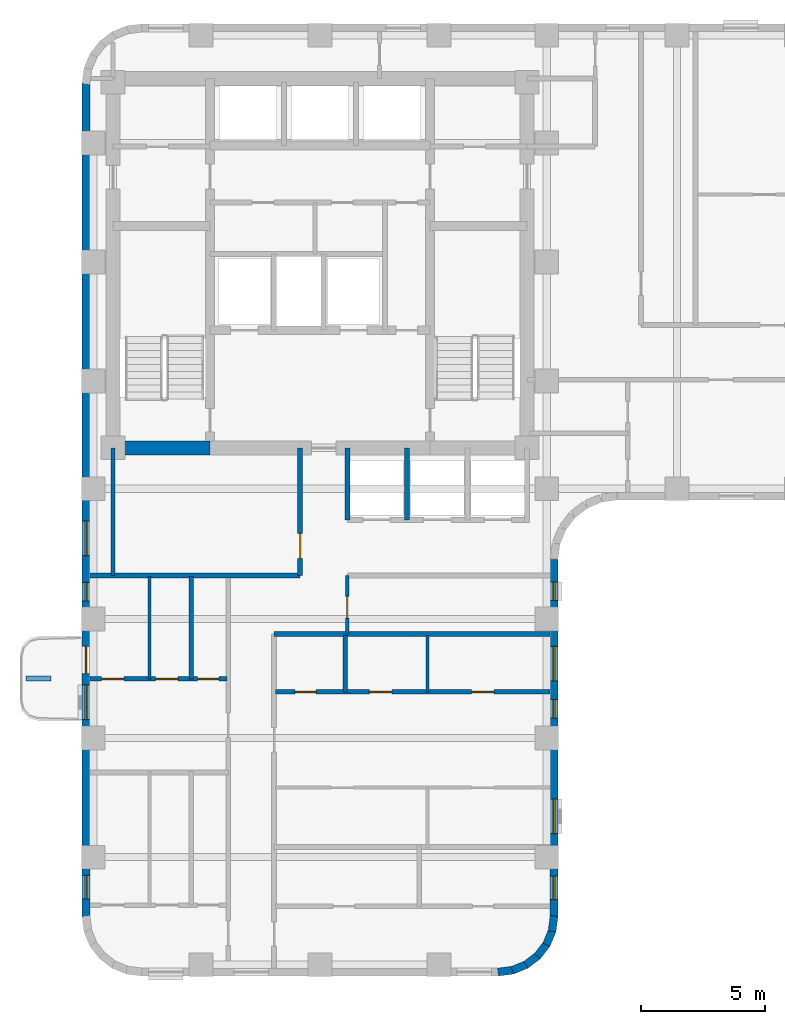
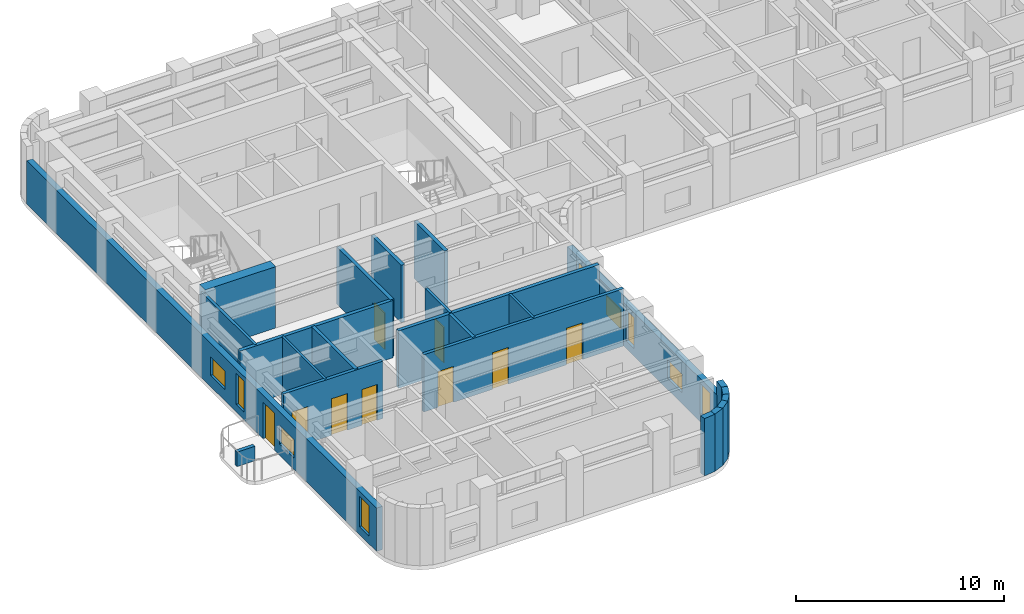
# One storey, part 3 of 9: 23 walls, 9 doors, 9 windows, 18 openings.
"""IFC4 building model written with IfcOpenShell, lengths in metres."""

from ifc_helpers import new_model, si_unit, direction, frame, frame_2d, origin, place, context, subcontext, project, spatial, rectangle, extrude, material, layer, layer_set, type_object, element, fill, save


model = new_model("IFC4")

# Units and contexts
model_context = context("Model", 3, precision=1e-05, world=origin(), true_north=direction((0.0, 1.0)))
body_context = subcontext(model_context, "Body", "Model", "MODEL_VIEW")
ifc_project = project(units=[si_unit("LENGTHUNIT", "METRE"), si_unit("AREAUNIT", "SQUARE_METRE"), si_unit("VOLUMEUNIT", "CUBIC_METRE"), si_unit("PLANEANGLEUNIT", "RADIAN"), si_unit("MASSUNIT", "GRAM", prefix="KILO")], contexts=[model_context])

# Site, building, storey
site_placement = place(None, origin())
site = spatial("IfcSite", under=ifc_project, at=site_placement, CompositionType="ELEMENT")
building_placement = place(site_placement, origin())
building = spatial("IfcBuilding", under=site, at=building_placement, Name="Orvandelia Arch Residences", CompositionType="ELEMENT")
storey_placement = place(building_placement, frame((0.0, 0.0, 128.800048828125)))
storey = spatial("IfcBuildingStorey", under=building, at=storey_placement, Name="L33", CompositionType="ELEMENT", Elevation=128.800048828125)

# Walls
ifc_material_1 = material(Name="Concrete C60/75", Category="concrete")
ifc_layer_1 = layer(ifc_material_1, 0.550048828125, Name="Concrete C60/75", Category="concrete")
ifc_layer_set_1 = layer_set([ifc_layer_1], Name="Concrete C60/75")
wall_type_1 = type_object("IfcWallType", Name="WL-CORE-550", PredefinedType="SHEAR", material=ifc_layer_set_1)
wall_1_placement = place(storey_placement, frame((6.050048828125, 30.89990234375, 0.0), z_axis=(0.0, 0.0, 1.0), x_axis=(1.0, 0.0, 0.0)))
element("IfcWall", 1, at=wall_1_placement, inside=storey, type_object=wall_type_1, Name="Core Shear Wall L33-SW", PredefinedType="SHEAR", context=body_context, shape_type="SweptSolid", body=[
    extrude(rectangle(XDim=3.909912109375, YDim=0.550048828125, at=frame_2d((1.955078125, 0.0))), origin(), (0.0, 0.0, 1.0), 3.599853515625),
])
ifc_material_2 = material(Name="Fire-Rated Corridor Partition")
ifc_layer_2 = layer(ifc_material_2, 0.199951171875, Name="Fire-Rated Corridor Partition")
ifc_layer_set_2 = layer_set([ifc_layer_2], Name="Fire-Rated Corridor Partition")
wall_type_2 = type_object("IfcWallType", Name="WL-CORR-200", PredefinedType="PARTITIONING", material=ifc_layer_set_2)
wall_2_placement = place(storey_placement, frame((12.550048828125, 23.39990234375, 0.0), z_axis=(0.0, 0.0, 1.0), x_axis=(1.0, 0.0, 0.0)))
element("IfcWall", 2, at=wall_2_placement, inside=storey, type_object=wall_type_2, Name="Interior Partition Wall WL-L33-WLNK-S", PredefinedType="PARTITIONING", context=body_context, shape_type="SweptSolid", body=[
    extrude(rectangle(XDim=11.1298828125, YDim=0.199951171875, at=frame_2d((5.56494140625, 0.0))), origin(), (0.0, 0.0, 1.0), 3.35986328125),
])
wall_3_placement = place(storey_placement, frame((5.1201171875, 25.75, 0.0), z_axis=(0.0, 0.0, 1.0), x_axis=(1.0, 0.0, 0.0)))
element("IfcWall", 3, at=wall_3_placement, inside=storey, type_object=wall_type_2, Name="Interior Partition Wall WL-L33-WLNK-N", PredefinedType="PARTITIONING", context=body_context, shape_type="SweptSolid", body=[
    extrude(rectangle(XDim=8.47998046875, YDim=0.199951171875, at=frame_2d((4.239990234375, 0.0))), origin(), (0.0, 0.0, 1.0), 3.35986328125),
])

# Wall, openings, windows
ifc_material_3 = material(Name="Precast concrete C40/50", Category="concrete")
ifc_layer_3 = layer(ifc_material_3, 0.320068359375, Name="Precast concrete C40/50", Category="concrete")
ifc_layer_set_3 = layer_set([ifc_layer_3], Name="Precast concrete C40/50")
wall_type_3 = type_object("IfcWallType", Name="WL-EXT-STONE-320", PredefinedType="STANDARD", material=ifc_layer_set_3)
wall_4_placement = place(storey_placement, frame((23.840087890625, 26.39990234375, 0.0), z_axis=(0.0, 0.0, 1.0), x_axis=(0.0, -1.0, 0.0)))
wall_4 = element("IfcWall", 4, at=wall_4_placement, inside=storey, type_object=wall_type_3, Name="Coral-Limestone Precast Facade Wall L33-028", PredefinedType="STANDARD", context=body_context, shape_type="SweptSolid", body=[
    extrude(rectangle(XDim=14.39990234375, YDim=0.320068359375, at=frame_2d((7.199951171875, 0.0))), origin(), (0.0, 0.0, 1.0), 2.5400390625),
])
opening_1_placement = place(wall_4_placement, frame((3.5, 0.0, 0.64990234375)))
opening_1 = element("IfcOpeningElement", 5, at=opening_1_placement, cuts=wall_4, Name="Opening W10", PredefinedType="OPENING", context=body_context, shape_type="SweptSolid", body=[
    extrude(rectangle(XDim=1.39990234375, YDim=1.10009765625, at=frame_2d((0.699951171875, 0.550048828125))), frame((0.0, 0.169921875, 0.0), z_axis=(0.0, -1.0, 0.0), x_axis=(1.0, 0.0, 0.0)), (0.0, 0.0, 1.0), 0.340087890625),
])
opening_2_placement = place(wall_4_placement, frame((9.653564453125, 0.0, 0.64990234375)))
opening_2 = element("IfcOpeningElement", 6, at=opening_2_placement, cuts=wall_4, Name="Opening W10", PredefinedType="OPENING", context=body_context, shape_type="SweptSolid", body=[
    extrude(rectangle(XDim=1.39990234375, YDim=1.10009765625, at=frame_2d((0.699951171875, 0.550048828125))), frame((0.0, 0.169921875, 0.0), z_axis=(0.0, -1.0, 0.0), x_axis=(1.0, 0.0, 0.0)), (0.0, 0.0, 1.0), 0.340087890625),
])
opening_3_placement = place(wall_4_placement, frame((12.767578125, 0.0, 0.449951171875)))
opening_3 = element("IfcOpeningElement", 7, at=opening_3_placement, cuts=wall_4, Name="Opening W4", PredefinedType="OPENING", context=body_context, shape_type="SweptSolid", body=[
    extrude(rectangle(XDim=0.949951171875, YDim=1.800048828125, at=frame_2d((0.47509765625, 0.89990234375))), frame((0.0, 0.169921875, 0.0), z_axis=(0.0, -1.0, 0.0), x_axis=(1.0, 0.0, 0.0)), (0.0, 0.0, 1.0), 0.340087890625),
])
opening_4_placement = place(wall_4_placement, frame((5.6474609375, 0.0, 0.449951171875)))
opening_4 = element("IfcOpeningElement", 8, at=opening_4_placement, cuts=wall_4, Name="Opening W11", PredefinedType="OPENING", context=body_context, shape_type="SweptSolid", body=[
    extrude(rectangle(XDim=0.75, YDim=1.800048828125, at=frame_2d((0.375, 0.89990234375))), frame((0.0, 0.169921875, 0.0), z_axis=(0.0, -1.0, 0.0), x_axis=(1.0, 0.0, 0.0)), (0.0, 0.0, 1.0), 0.340087890625),
])
opening_5_placement = place(wall_4_placement, frame((0.907470703125, 0.0, 0.449951171875)))
opening_5 = element("IfcOpeningElement", 9, at=opening_5_placement, cuts=wall_4, Name="Opening W11", PredefinedType="OPENING", context=body_context, shape_type="SweptSolid", body=[
    extrude(rectangle(XDim=0.75, YDim=1.800048828125, at=frame_2d((0.375, 0.89990234375))), frame((0.0, 0.169921875, 0.0), z_axis=(0.0, -1.0, 0.0), x_axis=(1.0, 0.0, 0.0)), (0.0, 0.0, 1.0), 0.340087890625),
])
ifc_material_4 = material(Name="Tempered Low-E Insulated Glazing", Category="glass")
window_type_1 = type_object("IfcWindowType", Name="WIN-BED-0750x1800", PartitioningType="SINGLE_PANEL", PredefinedType="WINDOW", material=ifc_material_4)
window_1_placement = place(opening_4_placement, origin())
window_1 = element("IfcWindow", 10, at=window_1_placement, inside=storey, type_object=window_type_1, Name="Recessed Punched Window L33-020", OverallHeight=1.800048828125, OverallWidth=0.75, PartitioningType="SINGLE_PANEL", PredefinedType="WINDOW", context=body_context, shape_type="SweptSolid", body=[
    extrude(rectangle(XDim=0.75, YDim=1.800048828125, at=frame_2d((0.375, 0.89990234375))), frame((0.0, 0.030029296875, 0.0), z_axis=(0.0, -1.0, 0.0), x_axis=(1.0, 0.0, 0.0)), (0.0, 0.0, 1.0), 0.06005859375),
])
fill(opening_4, window_1)
window_2_placement = place(opening_5_placement, origin())
window_2 = element("IfcWindow", 11, at=window_2_placement, inside=storey, type_object=window_type_1, Name="Recessed Punched Window L33-021", OverallHeight=1.800048828125, OverallWidth=0.75, PartitioningType="SINGLE_PANEL", PredefinedType="WINDOW", context=body_context, shape_type="SweptSolid", body=[
    extrude(rectangle(XDim=0.75, YDim=1.800048828125, at=frame_2d((0.375, 0.89990234375))), frame((0.0, 0.030029296875, 0.0), z_axis=(0.0, -1.0, 0.0), x_axis=(1.0, 0.0, 0.0)), (0.0, 0.0, 1.0), 0.06005859375),
])
fill(opening_5, window_2)
window_type_2 = type_object("IfcWindowType", Name="WIN-CLR-1400x1100", PartitioningType="SINGLE_PANEL", PredefinedType="WINDOW", material=ifc_material_4)
window_3_placement = place(opening_1_placement, origin())
window_3 = element("IfcWindow", 12, at=window_3_placement, inside=storey, type_object=window_type_2, Name="Recessed Punched Window L33-017", OverallHeight=1.10009765625, OverallWidth=1.39990234375, PartitioningType="SINGLE_PANEL", PredefinedType="WINDOW", context=body_context, shape_type="SweptSolid", body=[
    extrude(rectangle(XDim=1.39990234375, YDim=1.10009765625, at=frame_2d((0.699951171875, 0.550048828125))), frame((0.0, 0.030029296875, 0.0), z_axis=(0.0, -1.0, 0.0), x_axis=(1.0, 0.0, 0.0)), (0.0, 0.0, 1.0), 0.06005859375),
])
fill(opening_1, window_3)
window_4_placement = place(opening_2_placement, origin())
window_4 = element("IfcWindow", 13, at=window_4_placement, inside=storey, type_object=window_type_2, Name="Recessed Punched Window L33-018", OverallHeight=1.10009765625, OverallWidth=1.39990234375, PartitioningType="SINGLE_PANEL", PredefinedType="WINDOW", context=body_context, shape_type="SweptSolid", body=[
    extrude(rectangle(XDim=1.39990234375, YDim=1.10009765625, at=frame_2d((0.699951171875, 0.550048828125))), frame((0.0, 0.030029296875, 0.0), z_axis=(0.0, -1.0, 0.0), x_axis=(1.0, 0.0, 0.0)), (0.0, 0.0, 1.0), 0.06005859375),
])
fill(opening_2, window_4)
window_type_3 = type_object("IfcWindowType", Name="WIN-RES-0950x1800", PartitioningType="SINGLE_PANEL", PredefinedType="WINDOW", material=ifc_material_4)
window_5_placement = place(opening_3_placement, origin())
window_5 = element("IfcWindow", 14, at=window_5_placement, inside=storey, type_object=window_type_3, Name="Recessed Punched Window L33-019", OverallHeight=1.800048828125, OverallWidth=0.949951171875, PartitioningType="SINGLE_PANEL", PredefinedType="WINDOW", context=body_context, shape_type="SweptSolid", body=[
    extrude(rectangle(XDim=0.949951171875, YDim=1.800048828125, at=frame_2d((0.47509765625, 0.89990234375))), frame((0.0, 0.030029296875, 0.0), z_axis=(0.0, -1.0, 0.0), x_axis=(1.0, 0.0, 0.0)), (0.0, 0.0, 1.0), 0.06005859375),
])
fill(opening_3, window_5)

# Walls
wall_5_placement = place(storey_placement, frame((23.84130859375, 12.02099609375, 0.0), z_axis=(0.0, 0.0, 1.0), x_axis=(-0.130504898859, -0.991447664465, 0.0)))
element("IfcWall", 15, at=wall_5_placement, inside=storey, type_object=wall_type_3, Name="Coral-Limestone Precast Facade Wall L33-029", PredefinedType="STANDARD", context=body_context, shape_type="SweptSolid", body=[
    extrude(rectangle(XDim=0.626708984375, YDim=0.320068359375, at=frame_2d((0.3134765625, 0.0))), origin(), (0.0, 0.0, 1.0), 3.35986328125),
])
for number, where, z_axis, x_axis, name in (
    (16, (23.7705078125, 11.43994140625, 0.0), (0.0, 0.0, 1.0), (-0.382650053678, -0.92389335771, 0.0), "Coral-Limestone Precast Facade Wall L33-030"),
    (17, (23.551513671875, 10.8974609375, 0.0), (0.0, 0.0, 1.0), (-0.608693302629, -0.793405610854, 0.0), "Coral-Limestone Precast Facade Wall L33-031"),
    (18, (23.19970703125, 10.4296875, 0.0), (0.0, 0.0, 1.0), (-0.793405610854, -0.608693302629, 0.0), "Coral-Limestone Precast Facade Wall L33-032"),
    (19, (22.73876953125, 10.0693359375, 0.0), (0.0, 0.0, 1.0), (-0.92389335771, -0.382650053678, 0.0), "Coral-Limestone Precast Facade Wall L33-033"),
    (20, (22.2001953125, 9.84033203125, 0.0), (0.0, 0.0, 1.0), (-0.9914410257, -0.130555323746, 0.0), "Coral-Limestone Precast Facade Wall L33-034"),
):
    element("IfcWall", number, at=place(storey_placement, frame(where, z_axis=z_axis, x_axis=x_axis)), inside=storey, type_object=wall_type_3, Name=name, PredefinedType="STANDARD", context=body_context, shape_type="SweptSolid", body=[
        extrude(rectangle(XDim=0.62646484375, YDim=0.320068359375, at=frame_2d((0.313232421875, 0.0))), origin(), (0.0, 0.0, 1.0), 3.35986328125),
    ])

# Wall, openings, door, windows
wall_6_placement = place(storey_placement, frame((4.9599609375, 12.0, 0.0), z_axis=(0.0, 0.0, 1.0), x_axis=(0.0, 1.0, 0.0)))
wall_6 = element("IfcWall", 21, at=wall_6_placement, inside=storey, type_object=wall_type_3, Name="Coral-Limestone Precast Facade Wall L33-042", PredefinedType="STANDARD", context=body_context, shape_type="SweptSolid", body=[
    extrude(rectangle(XDim=33.60009765625, YDim=0.320068359375, at=frame_2d((16.800048828125, 0.0))), origin(), (0.0, 0.0, 1.0), 2.5400390625),
])
opening_6_placement = place(wall_6_placement, frame((9.800048828125, 0.0, 0.0)))
opening_6 = element("IfcOpeningElement", 22, at=opening_6_placement, cuts=wall_6, Name="Opening BD1", PredefinedType="OPENING", context=body_context, shape_type="SweptSolid", body=[
    extrude(rectangle(XDim=1.10009765625, YDim=2.14990234375, at=frame_2d((0.550048828125, 1.074951171875))), frame((0.0, 0.169921875, 0.0), z_axis=(0.0, -1.0, 0.0), x_axis=(1.0, 0.0, 0.0)), (0.0, 0.0, 1.0), 0.340087890625),
])
opening_7_placement = place(wall_6_placement, frame((0.70849609375, 0.0, 0.449951171875)))
opening_7 = element("IfcOpeningElement", 23, at=opening_7_placement, cuts=wall_6, Name="Opening W4", PredefinedType="OPENING", context=body_context, shape_type="SweptSolid", body=[
    extrude(rectangle(XDim=0.949951171875, YDim=1.800048828125, at=frame_2d((0.47509765625, 0.89990234375))), frame((0.0, 0.169921875, 0.0), z_axis=(0.0, -1.0, 0.0), x_axis=(1.0, 0.0, 0.0)), (0.0, 0.0, 1.0), 0.340087890625),
])
opening_8_placement = place(wall_6_placement, frame((12.732421875, 0.0, 0.449951171875)))
opening_8 = element("IfcOpeningElement", 24, at=opening_8_placement, cuts=wall_6, Name="Opening W11", PredefinedType="OPENING", context=body_context, shape_type="SweptSolid", body=[
    extrude(rectangle(XDim=0.75, YDim=1.800048828125, at=frame_2d((0.375, 0.89990234375))), frame((0.0, 0.169921875, 0.0), z_axis=(0.0, -1.0, 0.0), x_axis=(1.0, 0.0, 0.0)), (0.0, 0.0, 1.0), 0.340087890625),
])
opening_9_placement = place(wall_6_placement, frame((7.939453125, 0.0, 0.64990234375)))
opening_9 = element("IfcOpeningElement", 25, at=opening_9_placement, cuts=wall_6, Name="Opening W10", PredefinedType="OPENING", context=body_context, shape_type="SweptSolid", body=[
    extrude(rectangle(XDim=1.39990234375, YDim=1.10009765625, at=frame_2d((0.699951171875, 0.550048828125))), frame((0.0, 0.169921875, 0.0), z_axis=(0.0, -1.0, 0.0), x_axis=(1.0, 0.0, 0.0)), (0.0, 0.0, 1.0), 0.340087890625),
])
opening_10_placement = place(wall_6_placement, frame((14.5576171875, 0.0, 0.64990234375)))
opening_10 = element("IfcOpeningElement", 26, at=opening_10_placement, cuts=wall_6, Name="Opening W10", PredefinedType="OPENING", context=body_context, shape_type="SweptSolid", body=[
    extrude(rectangle(XDim=1.39990234375, YDim=1.10009765625, at=frame_2d((0.699951171875, 0.550048828125))), frame((0.0, 0.169921875, 0.0), z_axis=(0.0, -1.0, 0.0), x_axis=(1.0, 0.0, 0.0)), (0.0, 0.0, 1.0), 0.340087890625),
])
ifc_material_5 = material(Name="Thermally Broken Aluminium Glazed Door", Category="aluminium")
door_type_1 = type_object("IfcDoorType", Name="DR-BAL-GLAZ-1100", OperationType="NOTDEFINED", PredefinedType="DOOR", material=ifc_material_5)
door_1_placement = place(opening_6_placement, origin())
door_1 = element("IfcDoor", 27, at=door_1_placement, inside=storey, type_object=door_type_1, Name="Tree Balcony Glazed Door BAL-L33-W1", OperationType="SINGLE_SWING_RIGHT", OverallHeight=2.14990234375, OverallWidth=1.10009765625, PredefinedType="DOOR", context=body_context, shape_type="SweptSolid", body=[
    extrude(rectangle(XDim=1.10009765625, YDim=2.14990234375, at=frame_2d((0.550048828125, 1.074951171875))), frame((0.0, 0.02490234375, 0.0), z_axis=(0.0, -1.0, 0.0), x_axis=(1.0, 0.0, 0.0)), (0.0, 0.0, 1.0), 0.050048828125),
])
fill(opening_6, door_1)
window_6_placement = place(opening_8_placement, origin())
window_6 = element("IfcWindow", 28, at=window_6_placement, inside=storey, type_object=window_type_1, Name="Recessed Punched Window L33-026", OverallHeight=1.800048828125, OverallWidth=0.75, PartitioningType="SINGLE_PANEL", PredefinedType="WINDOW", context=body_context, shape_type="SweptSolid", body=[
    extrude(rectangle(XDim=0.75, YDim=1.800048828125, at=frame_2d((0.375, 0.89990234375))), frame((0.0, 0.030029296875, 0.0), z_axis=(0.0, -1.0, 0.0), x_axis=(1.0, 0.0, 0.0)), (0.0, 0.0, 1.0), 0.06005859375),
])
fill(opening_8, window_6)
window_7_placement = place(opening_9_placement, origin())
window_7 = element("IfcWindow", 29, at=window_7_placement, inside=storey, type_object=window_type_2, Name="Recessed Punched Window L33-027", OverallHeight=1.10009765625, OverallWidth=1.39990234375, PartitioningType="SINGLE_PANEL", PredefinedType="WINDOW", context=body_context, shape_type="SweptSolid", body=[
    extrude(rectangle(XDim=1.39990234375, YDim=1.10009765625, at=frame_2d((0.699951171875, 0.550048828125))), frame((0.0, 0.030029296875, 0.0), z_axis=(0.0, -1.0, 0.0), x_axis=(1.0, 0.0, 0.0)), (0.0, 0.0, 1.0), 0.06005859375),
])
fill(opening_9, window_7)
window_8_placement = place(opening_10_placement, origin())
window_8 = element("IfcWindow", 30, at=window_8_placement, inside=storey, type_object=window_type_2, Name="Recessed Punched Window L33-028", OverallHeight=1.10009765625, OverallWidth=1.39990234375, PartitioningType="SINGLE_PANEL", PredefinedType="WINDOW", context=body_context, shape_type="SweptSolid", body=[
    extrude(rectangle(XDim=1.39990234375, YDim=1.10009765625, at=frame_2d((0.699951171875, 0.550048828125))), frame((0.0, 0.030029296875, 0.0), z_axis=(0.0, -1.0, 0.0), x_axis=(1.0, 0.0, 0.0)), (0.0, 0.0, 1.0), 0.06005859375),
])
fill(opening_10, window_8)
window_9_placement = place(opening_7_placement, origin())
window_9 = element("IfcWindow", 31, at=window_9_placement, inside=storey, type_object=window_type_3, Name="Recessed Punched Window L33-025", OverallHeight=1.800048828125, OverallWidth=0.949951171875, PartitioningType="SINGLE_PANEL", PredefinedType="WINDOW", context=body_context, shape_type="SweptSolid", body=[
    extrude(rectangle(XDim=0.949951171875, YDim=1.800048828125, at=frame_2d((0.47509765625, 0.89990234375))), frame((0.0, 0.030029296875, 0.0), z_axis=(0.0, -1.0, 0.0), x_axis=(1.0, 0.0, 0.0)), (0.0, 0.0, 1.0), 0.06005859375),
])
fill(opening_7, window_9)

# Walls
ifc_material_6 = material(Name="Lightweight Gypsum Stud Partition")
ifc_layer_4 = layer(ifc_material_6, 0.1201171875, Name="Lightweight Gypsum Stud Partition")
ifc_layer_set_4 = layer_set([ifc_layer_4], Name="Lightweight Gypsum Stud Partition")
wall_type_4 = type_object("IfcWallType", Name="WL-PART-120", PredefinedType="PARTITIONING", material=ifc_layer_set_4)
wall_7_placement = place(storey_placement, frame((7.514892578125, 21.583984375, 0.0), z_axis=(0.0, 0.0, 1.0), x_axis=(0.0, 1.0, 0.0)))
element("IfcWall", 32, at=wall_7_placement, inside=storey, type_object=wall_type_4, Name="Interior Partition Wall WL-L33-U02-V1", PredefinedType="PARTITIONING", context=body_context, shape_type="SweptSolid", body=[
    extrude(rectangle(XDim=4.135986328125, YDim=0.1201171875, at=frame_2d((2.06787109375, 0.0))), origin(), (0.0, 0.0, 1.0), 3.35986328125),
])
wall_8_placement = place(storey_placement, frame((18.73193359375, 21.06005859375, 0.0), z_axis=(0.0, 0.0, 1.0), x_axis=(0.0, 1.0, 0.0)))
element("IfcWall", 33, at=wall_8_placement, inside=storey, type_object=wall_type_4, Name="Interior Partition Wall WL-L33-U04-V2", PredefinedType="PARTITIONING", context=body_context, shape_type="SweptSolid", body=[
    extrude(rectangle(XDim=2.280029296875, YDim=0.1201171875, at=frame_2d((1.14013671875, 0.0))), origin(), (0.0, 0.0, 1.0), 3.35986328125),
])
ifc_material_7 = material(Name="Acoustic Gypsum Stud Partition")
ifc_layer_5 = layer(ifc_material_7, 0.14990234375, Name="Acoustic Gypsum Stud Partition")
ifc_layer_set_5 = layer_set([ifc_layer_5], Name="Acoustic Gypsum Stud Partition")
wall_type_5 = type_object("IfcWallType", Name="WL-PART-150", PredefinedType="PARTITIONING", material=ifc_layer_set_5)
wall_9_placement = place(storey_placement, frame((6.050048828125, 25.75, 0.0), z_axis=(0.0, 0.0, 1.0), x_axis=(0.0, 1.0, 0.0)))
element("IfcWall", 34, at=wall_9_placement, inside=storey, type_object=wall_type_5, Name="Interior Partition Wall WL-L33-B1REUSE-W", PredefinedType="PARTITIONING", context=body_context, shape_type="SweptSolid", body=[
    extrude(rectangle(XDim=5.14990234375, YDim=0.14990234375, at=frame_2d((2.574951171875, 0.0))), origin(), (0.0, 0.0, 1.0), 3.35986328125),
])

# Wall, opening, door
wall_10_placement = place(storey_placement, frame((15.5, 23.39990234375, 0.0), z_axis=(0.0, 0.0, 1.0), x_axis=(0.0, 1.0, 0.0)))
wall_10 = element("IfcWall", 35, at=wall_10_placement, inside=storey, type_object=wall_type_5, Name="Interior Partition Wall WL-L33-WLNK-E", PredefinedType="PARTITIONING", context=body_context, shape_type="SweptSolid", body=[
    extrude(rectangle(XDim=2.35009765625, YDim=0.14990234375, at=frame_2d((1.175048828125, 0.0))), origin(), (0.0, 0.0, 1.0), 3.35986328125),
])
opening_11_placement = place(wall_10_placement, frame((0.64990234375, 0.0, 0.0)))
opening_11 = element("IfcOpeningElement", 36, at=opening_11_placement, cuts=wall_10, Name="Opening D4", PredefinedType="OPENING", context=body_context, shape_type="SweptSolid", body=[
    extrude(rectangle(XDim=0.860107421875, YDim=2.10009765625, at=frame_2d((0.43017578125, 1.050048828125))), frame((0.0, 0.0849609375, 0.0), z_axis=(0.0, -1.0, 0.0), x_axis=(1.0, 0.0, 0.0)), (0.0, 0.0, 1.0), 0.169921875),
])
ifc_material_8 = material(Name="Moisture-Sealed Timber Bathroom Door", Category="wood")
door_type_2 = type_object("IfcDoorType", Name="DR-WET-900", OperationType="NOTDEFINED", PredefinedType="DOOR", material=ifc_material_8)
door_2_placement = place(opening_11_placement, origin())
door_2 = element("IfcDoor", 37, at=door_2_placement, inside=storey, type_object=door_type_2, Name="DR-L33-WLNKST", OperationType="SINGLE_SWING_RIGHT", OverallHeight=2.10009765625, OverallWidth=0.860107421875, PredefinedType="DOOR", context=body_context, shape_type="SweptSolid", body=[
    extrude(rectangle(XDim=0.860107421875, YDim=2.10009765625, at=frame_2d((0.43017578125, 1.050048828125))), frame((0.0, 0.02490234375, 0.0), z_axis=(0.0, -1.0, 0.0), x_axis=(1.0, 0.0, 0.0)), (0.0, 0.0, 1.0), 0.050048828125),
])
fill(opening_11, door_2)

# Wall
ifc_layer_6 = layer(ifc_material_3, 0.199951171875, Name="Precast concrete C40/50", Category="concrete")
ifc_layer_set_6 = layer_set([ifc_layer_6], Name="Precast concrete C40/50")
wall_type_6 = type_object("IfcWallType", Name="WL-PLANTER-200", PredefinedType="MOVABLE", material=ifc_layer_set_6)
wall_11_placement = place(storey_placement, frame((2.550048828125, 21.60009765625, 0.0), z_axis=(0.0, 0.0, 1.0), x_axis=(1.0, 0.0, 0.0)))
element("IfcWall", 38, at=wall_11_placement, inside=storey, type_object=wall_type_6, Name="Balcony Precast Tree Planter BAL-L33-W1", PredefinedType="MOVABLE", context=body_context, shape_type="SweptSolid", body=[
    extrude(rectangle(XDim=1.0, YDim=0.199951171875, at=frame_2d((0.5, 0.0))), origin(), (0.0, 0.0, 1.0), 0.849853515625),
])

# Wall, opening, door
ifc_material_9 = material(Name="Fire-Rated Shaft Enclosure Wall")
ifc_layer_7 = layer(ifc_material_9, 0.199951171875, Name="Fire-Rated Shaft Enclosure Wall")
ifc_layer_set_7 = layer_set([ifc_layer_7], Name="Fire-Rated Shaft Enclosure Wall")
wall_type_7 = type_object("IfcWallType", Name="WL-SHAFT-200", PredefinedType="POLYGONAL", material=ifc_layer_set_7)
wall_12_placement = place(storey_placement, frame((13.60009765625, 25.75, 0.0), z_axis=(0.0, 0.0, 1.0), x_axis=(0.0, 1.0, 0.0)))
wall_12 = element("IfcWall", 39, at=wall_12_placement, inside=storey, type_object=wall_type_7, Name="Interior Partition Wall WL-L33-B1REUSE-E", PredefinedType="POLYGONAL", context=body_context, shape_type="SweptSolid", body=[
    extrude(rectangle(XDim=5.14990234375, YDim=0.199951171875, at=frame_2d((2.574951171875, 0.0))), origin(), (0.0, 0.0, 1.0), 3.35986328125),
])
opening_12_placement = place(wall_12_placement, frame((0.699951171875, 0.0, 0.0)))
opening_12 = element("IfcOpeningElement", 40, at=opening_12_placement, cuts=wall_12, Name="Opening D6", PredefinedType="OPENING", context=body_context, shape_type="SweptSolid", body=[
    extrude(rectangle(XDim=1.0, YDim=2.14990234375, at=frame_2d((0.5, 1.074951171875))), frame((0.0, 0.10986328125, 0.0), z_axis=(0.0, -1.0, 0.0), x_axis=(1.0, 0.0, 0.0)), (0.0, 0.0, 1.0), 0.219970703125),
])
ifc_material_10 = material(Name="Smokeproof Painted Steel Fire Door", Category="steel")
door_type_3 = type_object("IfcDoorType", Name="DR-FD60-1000", OperationType="NOTDEFINED", PredefinedType="DOOR", material=ifc_material_10)
door_3_placement = place(opening_12_placement, origin())
door_3 = element("IfcDoor", 41, at=door_3_placement, inside=storey, type_object=door_type_3, Name="DR-L33-B1REUSE", OperationType="SINGLE_SWING_LEFT", OverallHeight=2.14990234375, OverallWidth=1.0, PredefinedType="DOOR", context=body_context, shape_type="SweptSolid", body=[
    extrude(rectangle(XDim=1.0, YDim=2.14990234375, at=frame_2d((0.5, 1.074951171875))), frame((0.0, 0.02490234375, 0.0), z_axis=(0.0, -1.0, 0.0), x_axis=(1.0, 0.0, 0.0)), (0.0, 0.0, 1.0), 0.050048828125),
])
fill(opening_12, door_3)

# Walls
for number, where, z_axis, x_axis, name in (
    (42, (15.5, 28.0, 0.0), (0.0, 0.0, 1.0), (0.0, 1.0, 0.0), "Interior Partition Wall WL-L33-BNKM-W"),
    (43, (17.89990234375, 28.0, 0.0), (0.0, 0.0, 1.0), (0.0, 1.0, 0.0), "Interior Partition Wall WL-L33-BNKMD-1789"),
):
    element("IfcWall", number, at=place(storey_placement, frame(where, z_axis=z_axis, x_axis=x_axis)), inside=storey, type_object=wall_type_7, Name=name, PredefinedType="POLYGONAL", context=body_context, shape_type="SweptSolid", body=[
        extrude(rectangle(XDim=2.89990234375, YDim=0.199951171875, at=frame_2d((1.449951171875, 0.0))), origin(), (0.0, 0.0, 1.0), 3.35986328125),
    ])

# Wall, openings, doors
ifc_material_11 = material(Name="Moisture-Resistant Plumbing Wall")
ifc_layer_8 = layer(ifc_material_11, 0.179931640625, Name="Moisture-Resistant Plumbing Wall")
ifc_layer_set_8 = layer_set([ifc_layer_8], Name="Moisture-Resistant Plumbing Wall")
wall_type_8 = type_object("IfcWallType", Name="WL-WET-180", PredefinedType="PLUMBINGWALL", material=ifc_layer_set_8)
wall_13_placement = place(storey_placement, frame((5.1201171875, 21.583984375, 0.0), z_axis=(0.0, 0.0, 1.0), x_axis=(1.0, 0.0, 0.0)))
wall_13 = element("IfcWall", 44, at=wall_13_placement, inside=storey, type_object=wall_type_8, Name="Interior Partition Wall WL-L33-U02-HZ", PredefinedType="PLUMBINGWALL", context=body_context, shape_type="SweptSolid", body=[
    extrude(rectangle(XDim=5.519775390625, YDim=0.179931640625, at=frame_2d((2.759765625, 0.0))), origin(), (0.0, 0.0, 1.0), 3.35986328125),
])
opening_13_placement = place(wall_13_placement, frame((0.47216796875, 0.0, 0.0)))
opening_13 = element("IfcOpeningElement", 45, at=opening_13_placement, cuts=wall_13, Name="Opening D3", PredefinedType="OPENING", context=body_context, shape_type="SweptSolid", body=[
    extrude(rectangle(XDim=0.89990234375, YDim=2.14990234375, at=frame_2d((0.449951171875, 1.074951171875))), frame((0.0, 0.10009765625, 0.0), z_axis=(0.0, -1.0, 0.0), x_axis=(1.0, 0.0, 0.0)), (0.0, 0.0, 1.0), 0.199951171875),
])
opening_14_placement = place(wall_13_placement, frame((2.655029296875, 0.0, 0.0)))
opening_14 = element("IfcOpeningElement", 46, at=opening_14_placement, cuts=wall_13, Name="Opening D3", PredefinedType="OPENING", context=body_context, shape_type="SweptSolid", body=[
    extrude(rectangle(XDim=0.89990234375, YDim=2.14990234375, at=frame_2d((0.449951171875, 1.074951171875))), frame((0.0, 0.10009765625, 0.0), z_axis=(0.0, -1.0, 0.0), x_axis=(1.0, 0.0, 0.0)), (0.0, 0.0, 1.0), 0.199951171875),
])
opening_15_placement = place(wall_13_placement, frame((4.342041015625, 0.0, 0.0)))
opening_15 = element("IfcOpeningElement", 47, at=opening_15_placement, cuts=wall_13, Name="Opening D4", PredefinedType="OPENING", context=body_context, shape_type="SweptSolid", body=[
    extrude(rectangle(XDim=0.860107421875, YDim=2.10009765625, at=frame_2d((0.43017578125, 1.050048828125))), frame((0.0, 0.10009765625, 0.0), z_axis=(0.0, -1.0, 0.0), x_axis=(1.0, 0.0, 0.0)), (0.0, 0.0, 1.0), 0.199951171875),
])
ifc_material_12 = material(Name="Engineered Timber Flush Door", Category="wood")
door_type_4 = type_object("IfcDoorType", Name="DR-INT-900", OperationType="NOTDEFINED", PredefinedType="DOOR", material=ifc_material_12)
door_4_placement = place(opening_13_placement, origin())
door_4 = element("IfcDoor", 48, at=door_4_placement, inside=storey, type_object=door_type_4, Name="DR-L33-U02-BD1", OperationType="SINGLE_SWING_RIGHT", OverallHeight=2.14990234375, OverallWidth=0.89990234375, PredefinedType="DOOR", context=body_context, shape_type="SweptSolid", body=[
    extrude(rectangle(XDim=0.89990234375, YDim=2.14990234375, at=frame_2d((0.449951171875, 1.074951171875))), frame((0.0, 0.02490234375, 0.0), z_axis=(0.0, -1.0, 0.0), x_axis=(1.0, 0.0, 0.0)), (0.0, 0.0, 1.0), 0.050048828125),
])
fill(opening_13, door_4)
door_5_placement = place(opening_14_placement, origin())
door_5 = element("IfcDoor", 49, at=door_5_placement, inside=storey, type_object=door_type_4, Name="DR-L33-U02-KIT", OperationType="SINGLE_SWING_LEFT", OverallHeight=2.14990234375, OverallWidth=0.89990234375, PredefinedType="DOOR", context=body_context, shape_type="SweptSolid", body=[
    extrude(rectangle(XDim=0.89990234375, YDim=2.14990234375, at=frame_2d((0.449951171875, 1.074951171875))), frame((0.0, 0.02490234375, 0.0), z_axis=(0.0, -1.0, 0.0), x_axis=(1.0, 0.0, 0.0)), (0.0, 0.0, 1.0), 0.050048828125),
])
fill(opening_14, door_5)
door_6_placement = place(opening_15_placement, origin())
door_6 = element("IfcDoor", 50, at=door_6_placement, inside=storey, type_object=door_type_2, Name="DR-L33-U02-BTH", OperationType="SINGLE_SWING_RIGHT", OverallHeight=2.10009765625, OverallWidth=0.860107421875, PredefinedType="DOOR", context=body_context, shape_type="SweptSolid", body=[
    extrude(rectangle(XDim=0.860107421875, YDim=2.10009765625, at=frame_2d((0.43017578125, 1.050048828125))), frame((0.0, 0.02490234375, 0.0), z_axis=(0.0, -1.0, 0.0), x_axis=(1.0, 0.0, 0.0)), (0.0, 0.0, 1.0), 0.050048828125),
])
fill(opening_15, door_6)

# Wall
wall_14_placement = place(storey_placement, frame((9.201904296875, 21.583984375, 0.0), z_axis=(0.0, 0.0, 1.0), x_axis=(0.0, 1.0, 0.0)))
element("IfcWall", 51, at=wall_14_placement, inside=storey, type_object=wall_type_8, Name="Interior Partition Wall WL-L33-U02-V2", PredefinedType="PLUMBINGWALL", context=body_context, shape_type="SweptSolid", body=[
    extrude(rectangle(XDim=4.135986328125, YDim=0.179931640625, at=frame_2d((2.06787109375, 0.0))), origin(), (0.0, 0.0, 1.0), 3.35986328125),
])

# Wall, openings, doors
wall_15_placement = place(storey_placement, frame((12.610107421875, 21.06005859375, 0.0), z_axis=(0.0, 0.0, 1.0), x_axis=(1.0, 0.0, 0.0)))
wall_15 = element("IfcWall", 52, at=wall_15_placement, inside=storey, type_object=wall_type_8, Name="Interior Partition Wall WL-L33-U04-HZ", PredefinedType="PLUMBINGWALL", context=body_context, shape_type="SweptSolid", body=[
    extrude(rectangle(XDim=11.06982421875, YDim=0.179931640625, at=frame_2d((5.534912109375, 0.0))), origin(), (0.0, 0.0, 1.0), 3.35986328125),
])
opening_16_placement = place(wall_15_placement, frame((0.772216796875, 0.0, 0.0)))
opening_16 = element("IfcOpeningElement", 53, at=opening_16_placement, cuts=wall_15, Name="Opening D4", PredefinedType="OPENING", context=body_context, shape_type="SweptSolid", body=[
    extrude(rectangle(XDim=0.860107421875, YDim=2.10009765625, at=frame_2d((0.43017578125, 1.050048828125))), frame((0.0, 0.10009765625, 0.0), z_axis=(0.0, -1.0, 0.0), x_axis=(1.0, 0.0, 0.0)), (0.0, 0.0, 1.0), 0.199951171875),
])
opening_17_placement = place(wall_15_placement, frame((3.7861328125, 0.0, 0.0)))
opening_17 = element("IfcOpeningElement", 54, at=opening_17_placement, cuts=wall_15, Name="Opening D3", PredefinedType="OPENING", context=body_context, shape_type="SweptSolid", body=[
    extrude(rectangle(XDim=0.89990234375, YDim=2.14990234375, at=frame_2d((0.449951171875, 1.074951171875))), frame((0.0, 0.10009765625, 0.0), z_axis=(0.0, -1.0, 0.0), x_axis=(1.0, 0.0, 0.0)), (0.0, 0.0, 1.0), 0.199951171875),
])
opening_18_placement = place(wall_15_placement, frame((7.903076171875, 0.0, 0.0)))
opening_18 = element("IfcOpeningElement", 55, at=opening_18_placement, cuts=wall_15, Name="Opening D3", PredefinedType="OPENING", context=body_context, shape_type="SweptSolid", body=[
    extrude(rectangle(XDim=0.89990234375, YDim=2.14990234375, at=frame_2d((0.449951171875, 1.074951171875))), frame((0.0, 0.10009765625, 0.0), z_axis=(0.0, -1.0, 0.0), x_axis=(1.0, 0.0, 0.0)), (0.0, 0.0, 1.0), 0.199951171875),
])
door_7_placement = place(opening_17_placement, origin())
door_7 = element("IfcDoor", 56, at=door_7_placement, inside=storey, type_object=door_type_4, Name="DR-L33-U04-KIT", OperationType="SINGLE_SWING_RIGHT", OverallHeight=2.14990234375, OverallWidth=0.89990234375, PredefinedType="DOOR", context=body_context, shape_type="SweptSolid", body=[
    extrude(rectangle(XDim=0.89990234375, YDim=2.14990234375, at=frame_2d((0.449951171875, 1.074951171875))), frame((0.0, 0.02490234375, 0.0), z_axis=(0.0, -1.0, 0.0), x_axis=(1.0, 0.0, 0.0)), (0.0, 0.0, 1.0), 0.050048828125),
])
fill(opening_17, door_7)
door_8_placement = place(opening_18_placement, origin())
door_8 = element("IfcDoor", 57, at=door_8_placement, inside=storey, type_object=door_type_4, Name="DR-L33-U04-BD1", OperationType="SINGLE_SWING_LEFT", OverallHeight=2.14990234375, OverallWidth=0.89990234375, PredefinedType="DOOR", context=body_context, shape_type="SweptSolid", body=[
    extrude(rectangle(XDim=0.89990234375, YDim=2.14990234375, at=frame_2d((0.449951171875, 1.074951171875))), frame((0.0, 0.02490234375, 0.0), z_axis=(0.0, -1.0, 0.0), x_axis=(1.0, 0.0, 0.0)), (0.0, 0.0, 1.0), 0.050048828125),
])
fill(opening_18, door_8)
door_9_placement = place(opening_16_placement, origin())
door_9 = element("IfcDoor", 58, at=door_9_placement, inside=storey, type_object=door_type_2, Name="DR-L33-U04-BTH", OperationType="SINGLE_SWING_LEFT", OverallHeight=2.10009765625, OverallWidth=0.860107421875, PredefinedType="DOOR", context=body_context, shape_type="SweptSolid", body=[
    extrude(rectangle(XDim=0.860107421875, YDim=2.10009765625, at=frame_2d((0.43017578125, 1.050048828125))), frame((0.0, 0.02490234375, 0.0), z_axis=(0.0, -1.0, 0.0), x_axis=(1.0, 0.0, 0.0)), (0.0, 0.0, 1.0), 0.050048828125),
])
fill(opening_16, door_9)

# Wall
wall_16_placement = place(storey_placement, frame((15.426025390625, 21.06005859375, 0.0), z_axis=(0.0, 0.0, 1.0), x_axis=(0.0, 1.0, 0.0)))
element("IfcWall", 59, at=wall_16_placement, inside=storey, type_object=wall_type_8, Name="Interior Partition Wall WL-L33-U04-V1", PredefinedType="PLUMBINGWALL", context=body_context, shape_type="SweptSolid", body=[
    extrude(rectangle(XDim=2.280029296875, YDim=0.179931640625, at=frame_2d((1.14013671875, 0.0))), origin(), (0.0, 0.0, 1.0), 3.35986328125),
])

save(model, "model.ifc")
